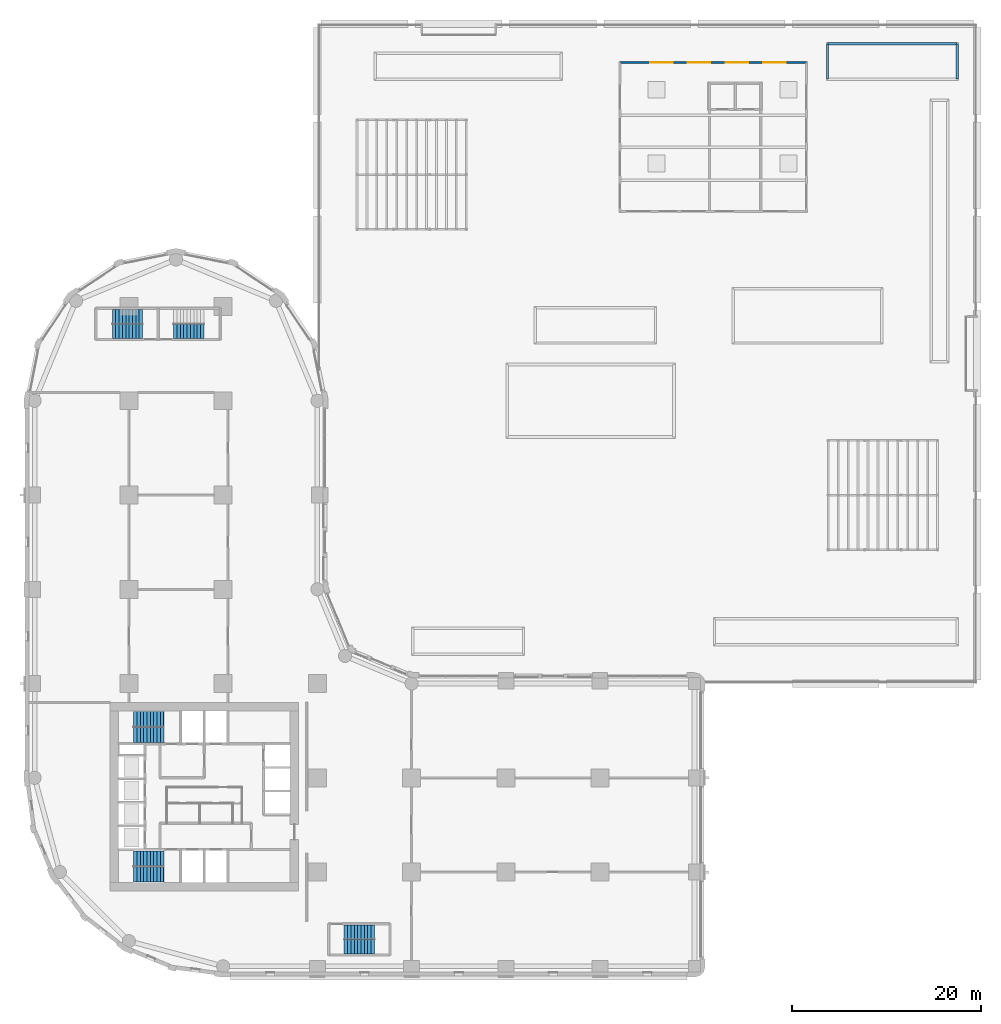
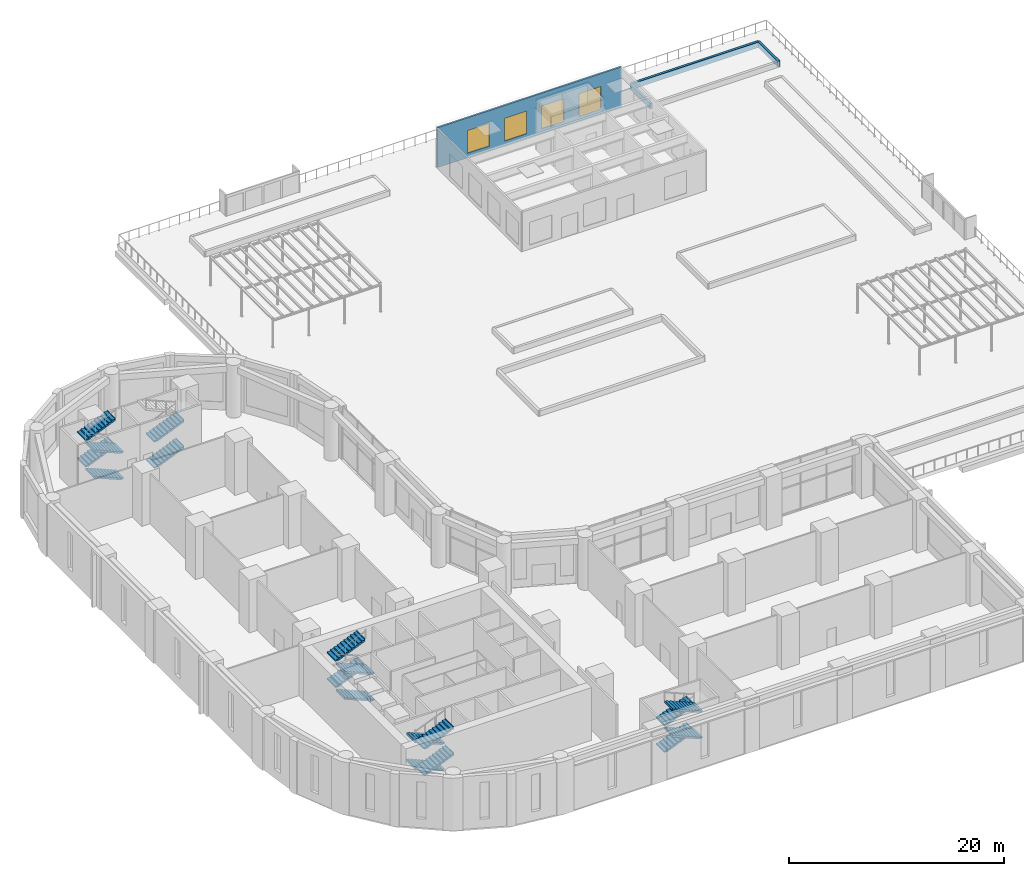
# One storey, part 20 of 28: 18 stair flights, 4 walls, 4 windows, 4 openings, 5 elements without a shape of their own.
"""IFC4 building model written with IfcOpenShell, lengths in metres."""

from ifc_helpers import new_model, si_unit, direction, frame, frame_2d, origin, place, context, subcontext, project, spatial, polyline, rectangle, outline, extrude, material, layer, layer_set, type_object, element, fill, aggregate, save


model = new_model("IFC4")

# Units and contexts
model_context = context("Model", 3, precision=1e-05, world=origin(), true_north=direction((0.0, 1.0)))
body_context = subcontext(model_context, "Body", "Model", "MODEL_VIEW")
ifc_project = project(units=[si_unit("LENGTHUNIT", "METRE"), si_unit("AREAUNIT", "SQUARE_METRE"), si_unit("VOLUMEUNIT", "CUBIC_METRE"), si_unit("PLANEANGLEUNIT", "RADIAN"), si_unit("MASSUNIT", "GRAM", prefix="KILO")], contexts=[model_context])

# Site, building, storey
site_placement = place(None, origin())
site = spatial("IfcSite", under=ifc_project, at=site_placement, CompositionType="ELEMENT")
building_placement = place(site_placement, origin())
building = spatial("IfcBuilding", under=site, at=building_placement, Name="Qaws Garden Tower", CompositionType="ELEMENT")
storey_placement = place(building_placement, frame((0.0, 0.0, 6.0)))
storey = spatial("IfcBuildingStorey", under=building, at=storey_placement, Name="L01", CompositionType="ELEMENT", Elevation=6.0)

# Walls
ifc_material_1 = material(Name="Concrete C40", Category="concrete")
ifc_layer_1 = layer(ifc_material_1, 0.25)
ifc_layer_set_1 = layer_set([ifc_layer_1], Name="Concrete C40")
wall_type_1 = type_object("IfcWallType", Name="PLANTER kerb 250", PredefinedType="STANDARD", material=ifc_layer_set_1)
wall_1_placement = place(storey_placement, frame((97.875, 94.125, -0.0400390625), z_axis=(0.0, 0.0, 1.0), x_axis=(0.0, 1.0, 0.0)))
element("IfcWall", 1, at=wall_1_placement, inside=storey, type_object=wall_type_1, Name="PLANTER 02 kerb", PredefinedType="STANDARD", context=body_context, shape_type="SweptSolid", body=[
    extrude(rectangle(XDim=3.75, YDim=0.25, at=frame_2d((1.875, 0.0))), origin(), (0.0, 0.0, 1.0), 0.650146484375),
])
wall_2_placement = place(storey_placement, frame((97.875, 97.875, -0.0400390625), z_axis=(0.0, 0.0, 1.0), x_axis=(-1.0, 0.0, 0.0)))
element("IfcWall", 2, at=wall_2_placement, inside=storey, type_object=wall_type_1, Name="PLANTER 02 kerb", PredefinedType="STANDARD", context=body_context, shape_type="SweptSolid", body=[
    extrude(rectangle(XDim=13.75, YDim=0.25, at=frame_2d((6.875, 0.0))), origin(), (0.0, 0.0, 1.0), 0.650146484375),
])
wall_3_placement = place(storey_placement, frame((84.125, 97.875, -0.0400390625), z_axis=(0.0, 0.0, 1.0), x_axis=(0.0, -1.0, 0.0)))
element("IfcWall", 3, at=wall_3_placement, inside=storey, type_object=wall_type_1, Name="PLANTER 02 kerb", PredefinedType="STANDARD", context=body_context, shape_type="SweptSolid", body=[
    extrude(rectangle(XDim=3.75, YDim=0.25, at=frame_2d((1.875, 0.0))), origin(), (0.0, 0.0, 1.0), 0.650146484375),
])

# Wall, openings, windows
ifc_material_2 = material(Name="Blockwork reinforced with steel S355", Category="masonry")
ifc_layer_2 = layer(ifc_material_2, 0.199951171875)
ifc_layer_set_2 = layer_set([ifc_layer_2], Name="Blockwork reinforced with steel S355")
wall_type_2 = type_object("IfcWallType", Name="Pavilion wall 200", PredefinedType="STANDARD", material=ifc_layer_set_2)
wall_4_placement = place(storey_placement, frame((81.89990234375, 95.89990234375, -0.0400390625), z_axis=(0.0, 0.0, 1.0), x_axis=(-1.0, 0.0, 0.0)))
wall_4 = element("IfcWall", 4, at=wall_4_placement, inside=storey, type_object=wall_type_2, Name="Garden pavilion wall N", PredefinedType="STANDARD", context=body_context, shape_type="SweptSolid", body=[
    extrude(rectangle(XDim=19.7998046875, YDim=0.199951171875, at=frame_2d((9.89990234375, 0.0))), origin(), (0.0, 0.0, 1.0), 4.5400390625),
])
opening_1_placement = place(wall_4_placement, frame((2.199951171875, 0.0, 0.5)))
opening_1 = element("IfcOpeningElement", 5, at=opening_1_placement, cuts=wall_4, Name="Opening PW-S3", PredefinedType="OPENING", context=body_context, shape_type="SweptSolid", body=[
    extrude(rectangle(XDim=2.39990234375, YDim=2.60009765625, at=frame_2d((1.199951171875, 1.300048828125))), frame((0.0, 0.10986328125, 0.0), z_axis=(0.0, -1.0, 0.0), x_axis=(1.0, 0.0, 0.0)), (0.0, 0.0, 1.0), 0.219970703125),
])
opening_2_placement = place(wall_4_placement, frame((6.199951171875, 0.0, 0.5)))
opening_2 = element("IfcOpeningElement", 6, at=opening_2_placement, cuts=wall_4, Name="Opening PW-S3", PredefinedType="OPENING", context=body_context, shape_type="SweptSolid", body=[
    extrude(rectangle(XDim=2.39990234375, YDim=2.60009765625, at=frame_2d((1.199951171875, 1.300048828125))), frame((0.0, 0.10986328125, 0.0), z_axis=(0.0, -1.0, 0.0), x_axis=(1.0, 0.0, 0.0)), (0.0, 0.0, 1.0), 0.219970703125),
])
opening_3_placement = place(wall_4_placement, frame((10.199951171875, 0.0, 0.5)))
opening_3 = element("IfcOpeningElement", 7, at=opening_3_placement, cuts=wall_4, Name="Opening PW-S3", PredefinedType="OPENING", context=body_context, shape_type="SweptSolid", body=[
    extrude(rectangle(XDim=2.39990234375, YDim=2.60009765625, at=frame_2d((1.199951171875, 1.300048828125))), frame((0.0, 0.10986328125, 0.0), z_axis=(0.0, -1.0, 0.0), x_axis=(1.0, 0.0, 0.0)), (0.0, 0.0, 1.0), 0.219970703125),
])
opening_4_placement = place(wall_4_placement, frame((14.199951171875, 0.0, 0.5)))
opening_4 = element("IfcOpeningElement", 8, at=opening_4_placement, cuts=wall_4, Name="Opening PW-S3", PredefinedType="OPENING", context=body_context, shape_type="SweptSolid", body=[
    extrude(rectangle(XDim=2.39990234375, YDim=2.60009765625, at=frame_2d((1.199951171875, 1.300048828125))), frame((0.0, 0.10986328125, 0.0), z_axis=(0.0, -1.0, 0.0), x_axis=(1.0, 0.0, 0.0)), (0.0, 0.0, 1.0), 0.219970703125),
])
ifc_material_3 = material(Name="Aluminium and clear glass", Category="aluminium")
window_type = type_object("IfcWindowType", Name="Pavilion window 2400", PartitioningType="DOUBLE_PANEL_VERTICAL", PredefinedType="WINDOW", material=ifc_material_3)
window_1_placement = place(opening_1_placement, origin())
window_1 = element("IfcWindow", 9, at=window_1_placement, inside=storey, type_object=window_type, Name="Pavilion window", OverallHeight=2.60009765625, OverallWidth=2.39990234375, PartitioningType="SINGLE_PANEL", PredefinedType="WINDOW", context=body_context, shape_type="SweptSolid", body=[
    extrude(rectangle(XDim=2.39990234375, YDim=2.60009765625, at=frame_2d((1.199951171875, 1.300048828125))), frame((0.0, 0.030029296875, 0.0), z_axis=(0.0, -1.0, 0.0), x_axis=(1.0, 0.0, 0.0)), (0.0, 0.0, 1.0), 0.06005859375),
])
fill(opening_1, window_1)
window_2_placement = place(opening_2_placement, origin())
window_2 = element("IfcWindow", 10, at=window_2_placement, inside=storey, type_object=window_type, Name="Pavilion window", OverallHeight=2.60009765625, OverallWidth=2.39990234375, PartitioningType="SINGLE_PANEL", PredefinedType="WINDOW", context=body_context, shape_type="SweptSolid", body=[
    extrude(rectangle(XDim=2.39990234375, YDim=2.60009765625, at=frame_2d((1.199951171875, 1.300048828125))), frame((0.0, 0.030029296875, 0.0), z_axis=(0.0, -1.0, 0.0), x_axis=(1.0, 0.0, 0.0)), (0.0, 0.0, 1.0), 0.06005859375),
])
fill(opening_2, window_2)
window_3_placement = place(opening_3_placement, origin())
window_3 = element("IfcWindow", 11, at=window_3_placement, inside=storey, type_object=window_type, Name="Pavilion window", OverallHeight=2.60009765625, OverallWidth=2.39990234375, PartitioningType="SINGLE_PANEL", PredefinedType="WINDOW", context=body_context, shape_type="SweptSolid", body=[
    extrude(rectangle(XDim=2.39990234375, YDim=2.60009765625, at=frame_2d((1.199951171875, 1.300048828125))), frame((0.0, 0.030029296875, 0.0), z_axis=(0.0, -1.0, 0.0), x_axis=(1.0, 0.0, 0.0)), (0.0, 0.0, 1.0), 0.06005859375),
])
fill(opening_3, window_3)
window_4_placement = place(opening_4_placement, origin())
window_4 = element("IfcWindow", 12, at=window_4_placement, inside=storey, type_object=window_type, Name="Pavilion window", OverallHeight=2.60009765625, OverallWidth=2.39990234375, PartitioningType="SINGLE_PANEL", PredefinedType="WINDOW", context=body_context, shape_type="SweptSolid", body=[
    extrude(rectangle(XDim=2.39990234375, YDim=2.60009765625, at=frame_2d((1.199951171875, 1.300048828125))), frame((0.0, 0.030029296875, 0.0), z_axis=(0.0, -1.0, 0.0), x_axis=(1.0, 0.0, 0.0)), (0.0, 0.0, 1.0), 0.06005859375),
])
fill(opening_4, window_4)

# Stair, stair flights
ifc_material_4 = material(Name="Concrete C40", Category="concrete")
stair_type_1 = type_object("IfcStairType", Name="Exit stair 1350", PredefinedType="HALF_TURN_STAIR", material=ifc_material_4)
placement = place(storey_placement, origin())
stair_1 = element("IfcStair", 13, at=placement, inside=storey, type_object=stair_type_1, Name="Stair 5", PredefinedType="HALF_TURN_STAIR")
ifc_material_5 = material(Name="Concrete C40", Category="concrete")
stair_flight_type_1 = type_object("IfcStairFlightType", Name="Stair flight 1350", PredefinedType="STRAIGHT", material=ifc_material_5)
stair_flight_1_placement = place(storey_placement, frame((32.85009765625, 3.625, 0.0), z_axis=(0.0, 0.0, 1.0), x_axis=(1.0, 0.0, 0.0)))
stair_flight_1 = element("IfcStairFlight", 14, at=stair_flight_1_placement, type_object=stair_flight_type_1, Name="ST5 flight 1", NumberOfRisers=10, NumberOfTreads=9, PredefinedType="STRAIGHT", RiserHeight=0.15, TreadLength=0.356, context=body_context, shape_type="SweptSolid", body=[
    extrude(outline(polyline([(-0.0029296875, 0.0), (-0.0029296875, 0.14990234375), (0.0, 0.14990234375), (0.35595703125, 0.14990234375), (0.35595703125, 0.300048828125), (0.7119140625, 0.300048828125), (0.7119140625, 0.449951171875), (1.068115234375, 0.449951171875), (1.068115234375, 0.60009765625), (1.424072265625, 0.60009765625), (1.424072265625, 0.75), (1.780029296875, 0.75), (1.780029296875, 0.89990234375), (2.135986328125, 0.89990234375), (2.135986328125, 1.050048828125), (2.491943359375, 1.050048828125), (2.491943359375, 1.199951171875), (2.847900390625, 1.199951171875), (2.847900390625, 1.35009765625), (3.2041015625, 1.35009765625), (3.2041015625, 1.5), (3.20703125, 1.5), (3.20703125, 1.187255859375), (3.2041015625, 1.187255859375), (0.385986328125, 0.0), (-0.0029296875, 0.0)])), frame((0.0, 0.77001953125, 0.0), z_axis=(0.0, -1.0, 0.0), x_axis=(1.0, 0.0, 0.0)), (0.0, 0.0, 1.0), 1.5400390625),
])
stair_flight_2_placement = place(storey_placement, frame((36.053955078125, 2.074951171875, 1.5), z_axis=(0.0, 0.0, 1.0), x_axis=(-1.0, 0.0, 0.0)))
stair_flight_2 = element("IfcStairFlight", 15, at=stair_flight_2_placement, type_object=stair_flight_type_1, Name="ST5 flight 2", NumberOfRisers=10, NumberOfTreads=9, PredefinedType="STRAIGHT", RiserHeight=0.15, TreadLength=0.356, context=body_context, shape_type="SweptSolid", body=[
    extrude(outline(polyline([(-0.0029296875, 0.0), (-0.0029296875, 0.14990234375), (0.0, 0.14990234375), (0.35595703125, 0.14990234375), (0.35595703125, 0.300048828125), (0.7119140625, 0.300048828125), (0.7119140625, 0.449951171875), (1.068115234375, 0.449951171875), (1.068115234375, 0.60009765625), (1.424072265625, 0.60009765625), (1.424072265625, 0.75), (1.780029296875, 0.75), (1.780029296875, 0.89990234375), (2.135986328125, 0.89990234375), (2.135986328125, 1.050048828125), (2.491943359375, 1.050048828125), (2.491943359375, 1.199951171875), (2.847900390625, 1.199951171875), (2.847900390625, 1.35009765625), (3.2041015625, 1.35009765625), (3.2041015625, 1.5), (3.20703125, 1.5), (3.20703125, 1.187255859375), (3.2041015625, 1.187255859375), (0.385986328125, 0.0), (-0.0029296875, 0.0)])), frame((0.0, 0.77001953125, 0.0), z_axis=(0.0, -1.0, 0.0), x_axis=(1.0, 0.0, 0.0)), (0.0, 0.0, 1.0), 1.5400390625),
])
stair_flight_3_placement = place(storey_placement, frame((32.85009765625, 3.625, 3.0), z_axis=(0.0, 0.0, 1.0), x_axis=(1.0, 0.0, 0.0)))
stair_flight_3 = element("IfcStairFlight", 16, at=stair_flight_3_placement, type_object=stair_flight_type_1, Name="ST5 flight 3", NumberOfRisers=10, NumberOfTreads=9, PredefinedType="STRAIGHT", RiserHeight=0.15, TreadLength=0.356, context=body_context, shape_type="SweptSolid", body=[
    extrude(outline(polyline([(-0.0029296875, 0.0), (-0.0029296875, 0.14990234375), (0.0, 0.14990234375), (0.35595703125, 0.14990234375), (0.35595703125, 0.300048828125), (0.7119140625, 0.300048828125), (0.7119140625, 0.449951171875), (1.068115234375, 0.449951171875), (1.068115234375, 0.60009765625), (1.424072265625, 0.60009765625), (1.424072265625, 0.75), (1.780029296875, 0.75), (1.780029296875, 0.89990234375), (2.135986328125, 0.89990234375), (2.135986328125, 1.050048828125), (2.491943359375, 1.050048828125), (2.491943359375, 1.199951171875), (2.847900390625, 1.199951171875), (2.847900390625, 1.35009765625), (3.2041015625, 1.35009765625), (3.2041015625, 1.5), (3.20703125, 1.5), (3.20703125, 1.187255859375), (3.2041015625, 1.187255859375), (0.385986328125, 0.0), (-0.0029296875, 0.0)])), frame((0.0, 0.77001953125, 0.0), z_axis=(0.0, -1.0, 0.0), x_axis=(1.0, 0.0, 0.0)), (0.0, 0.0, 1.0), 1.5400390625),
])
stair_flight_4_placement = place(storey_placement, frame((36.053955078125, 2.074951171875, 4.5), z_axis=(0.0, 0.0, 1.0), x_axis=(-1.0, 0.0, 0.0)))
stair_flight_4 = element("IfcStairFlight", 17, at=stair_flight_4_placement, type_object=stair_flight_type_1, Name="ST5 flight 4", NumberOfRisers=10, NumberOfTreads=9, PredefinedType="STRAIGHT", RiserHeight=0.15, TreadLength=0.356, context=body_context, shape_type="SweptSolid", body=[
    extrude(outline(polyline([(-0.0029296875, 0.0), (-0.0029296875, 0.14990234375), (0.0, 0.14990234375), (0.35595703125, 0.14990234375), (0.35595703125, 0.300048828125), (0.7119140625, 0.300048828125), (0.7119140625, 0.449951171875), (1.068115234375, 0.449951171875), (1.068115234375, 0.60009765625), (1.424072265625, 0.60009765625), (1.424072265625, 0.75), (1.780029296875, 0.75), (1.780029296875, 0.89990234375), (2.135986328125, 0.89990234375), (2.135986328125, 1.050048828125), (2.491943359375, 1.050048828125), (2.491943359375, 1.199951171875), (2.847900390625, 1.199951171875), (2.847900390625, 1.35009765625), (3.2041015625, 1.35009765625), (3.2041015625, 1.5), (3.20703125, 1.5), (3.20703125, 1.187255859375), (3.2041015625, 1.187255859375), (0.385986328125, 0.0), (-0.0029296875, 0.0)])), frame((0.0, 0.77001953125, 0.0), z_axis=(0.0, -1.0, 0.0), x_axis=(1.0, 0.0, 0.0)), (0.0, 0.0, 1.0), 1.5400390625),
])
aggregate(stair_1, [stair_flight_1, stair_flight_2, stair_flight_3, stair_flight_4])

stair_2 = element("IfcStair", 18, at=placement, inside=storey, type_object=stair_type_1, Name="Stair 6", PredefinedType="HALF_TURN_STAIR")
stair_flight_5_placement = place(storey_placement, frame((11.449951171875, 67.375, 0.0), z_axis=(0.0, 0.0, 1.0), x_axis=(-1.0, 0.0, 0.0)))
stair_flight_5 = element("IfcStairFlight", 19, at=stair_flight_5_placement, type_object=stair_flight_type_1, Name="ST6 flight 1", NumberOfRisers=10, NumberOfTreads=9, PredefinedType="STRAIGHT", RiserHeight=0.15, TreadLength=0.356, context=body_context, shape_type="SweptSolid", body=[
    extrude(outline(polyline([(-0.0029296875, 0.0), (-0.0029296875, 0.14990234375), (0.0, 0.14990234375), (0.35595703125, 0.14990234375), (0.35595703125, 0.300048828125), (0.7119140625, 0.300048828125), (0.7119140625, 0.449951171875), (1.068115234375, 0.449951171875), (1.068115234375, 0.60009765625), (1.424072265625, 0.60009765625), (1.424072265625, 0.75), (1.780029296875, 0.75), (1.780029296875, 0.89990234375), (2.135986328125, 0.89990234375), (2.135986328125, 1.050048828125), (2.491943359375, 1.050048828125), (2.491943359375, 1.199951171875), (2.847900390625, 1.199951171875), (2.847900390625, 1.35009765625), (3.2041015625, 1.35009765625), (3.2041015625, 1.5), (3.20703125, 1.5), (3.20703125, 1.187255859375), (3.2041015625, 1.187255859375), (0.385986328125, 0.0), (-0.0029296875, 0.0)])), frame((0.0, 0.77490234375, 0.0), z_axis=(0.0, -1.0, 0.0), x_axis=(1.0, 0.0, 0.0)), (0.0, 0.0, 1.0), 1.550048828125),
])
stair_flight_6_placement = place(storey_placement, frame((8.24609375, 68.925048828125, 1.5), z_axis=(0.0, 0.0, 1.0), x_axis=(1.0, 0.0, 0.0)))
stair_flight_6 = element("IfcStairFlight", 20, at=stair_flight_6_placement, type_object=stair_flight_type_1, Name="ST6 flight 2", NumberOfRisers=10, NumberOfTreads=9, PredefinedType="STRAIGHT", RiserHeight=0.15, TreadLength=0.356, context=body_context, shape_type="SweptSolid", body=[
    extrude(outline(polyline([(-0.0029296875, 0.0), (-0.0029296875, 0.14990234375), (0.0, 0.14990234375), (0.35595703125, 0.14990234375), (0.35595703125, 0.300048828125), (0.7119140625, 0.300048828125), (0.7119140625, 0.449951171875), (1.068115234375, 0.449951171875), (1.068115234375, 0.60009765625), (1.424072265625, 0.60009765625), (1.424072265625, 0.75), (1.780029296875, 0.75), (1.780029296875, 0.89990234375), (2.135986328125, 0.89990234375), (2.135986328125, 1.050048828125), (2.491943359375, 1.050048828125), (2.491943359375, 1.199951171875), (2.847900390625, 1.199951171875), (2.847900390625, 1.35009765625), (3.2041015625, 1.35009765625), (3.2041015625, 1.5), (3.20703125, 1.5), (3.20703125, 1.187255859375), (3.2041015625, 1.187255859375), (0.385986328125, 0.0), (-0.0029296875, 0.0)])), frame((0.0, 0.77490234375, 0.0), z_axis=(0.0, -1.0, 0.0), x_axis=(1.0, 0.0, 0.0)), (0.0, 0.0, 1.0), 1.550048828125),
])
stair_flight_7_placement = place(storey_placement, frame((11.449951171875, 67.375, 3.0), z_axis=(0.0, 0.0, 1.0), x_axis=(-1.0, 0.0, 0.0)))
stair_flight_7 = element("IfcStairFlight", 21, at=stair_flight_7_placement, type_object=stair_flight_type_1, Name="ST6 flight 3", NumberOfRisers=10, NumberOfTreads=9, PredefinedType="STRAIGHT", RiserHeight=0.15, TreadLength=0.356, context=body_context, shape_type="SweptSolid", body=[
    extrude(outline(polyline([(-0.0029296875, 0.0), (-0.0029296875, 0.14990234375), (0.0, 0.14990234375), (0.35595703125, 0.14990234375), (0.35595703125, 0.300048828125), (0.7119140625, 0.300048828125), (0.7119140625, 0.449951171875), (1.068115234375, 0.449951171875), (1.068115234375, 0.60009765625), (1.424072265625, 0.60009765625), (1.424072265625, 0.75), (1.780029296875, 0.75), (1.780029296875, 0.89990234375), (2.135986328125, 0.89990234375), (2.135986328125, 1.050048828125), (2.491943359375, 1.050048828125), (2.491943359375, 1.199951171875), (2.847900390625, 1.199951171875), (2.847900390625, 1.35009765625), (3.2041015625, 1.35009765625), (3.2041015625, 1.5), (3.20703125, 1.5), (3.20703125, 1.187255859375), (3.2041015625, 1.187255859375), (0.385986328125, 0.0), (-0.0029296875, 0.0)])), frame((0.0, 0.77490234375, 0.0), z_axis=(0.0, -1.0, 0.0), x_axis=(1.0, 0.0, 0.0)), (0.0, 0.0, 1.0), 1.550048828125),
])
stair_flight_8_placement = place(storey_placement, frame((8.24609375, 68.925048828125, 4.5), z_axis=(0.0, 0.0, 1.0), x_axis=(1.0, 0.0, 0.0)))
stair_flight_8 = element("IfcStairFlight", 22, at=stair_flight_8_placement, type_object=stair_flight_type_1, Name="ST6 flight 4", NumberOfRisers=10, NumberOfTreads=9, PredefinedType="STRAIGHT", RiserHeight=0.15, TreadLength=0.356, context=body_context, shape_type="SweptSolid", body=[
    extrude(outline(polyline([(-0.0029296875, 0.0), (-0.0029296875, 0.14990234375), (0.0, 0.14990234375), (0.35595703125, 0.14990234375), (0.35595703125, 0.300048828125), (0.7119140625, 0.300048828125), (0.7119140625, 0.449951171875), (1.068115234375, 0.449951171875), (1.068115234375, 0.60009765625), (1.424072265625, 0.60009765625), (1.424072265625, 0.75), (1.780029296875, 0.75), (1.780029296875, 0.89990234375), (2.135986328125, 0.89990234375), (2.135986328125, 1.050048828125), (2.491943359375, 1.050048828125), (2.491943359375, 1.199951171875), (2.847900390625, 1.199951171875), (2.847900390625, 1.35009765625), (3.2041015625, 1.35009765625), (3.2041015625, 1.5), (3.20703125, 1.5), (3.20703125, 1.187255859375), (3.2041015625, 1.187255859375), (0.385986328125, 0.0), (-0.0029296875, 0.0)])), frame((0.0, 0.77490234375, 0.0), z_axis=(0.0, -1.0, 0.0), x_axis=(1.0, 0.0, 0.0)), (0.0, 0.0, 1.0), 1.550048828125),
])
aggregate(stair_2, [stair_flight_5, stair_flight_6, stair_flight_7, stair_flight_8])

stair_3 = element("IfcStair", 23, at=placement, inside=storey, type_object=stair_type_1, Name="Stair 7", PredefinedType="HALF_TURN_STAIR")
stair_flight_9_placement = place(storey_placement, frame((14.75, 67.375, 0.0), z_axis=(0.0, 0.0, 1.0), x_axis=(1.0, 0.0, 0.0)))
stair_flight_9 = element("IfcStairFlight", 24, at=stair_flight_9_placement, type_object=stair_flight_type_1, Name="ST7 flight 1", NumberOfRisers=10, NumberOfTreads=9, PredefinedType="STRAIGHT", RiserHeight=0.15, TreadLength=0.356, context=body_context, shape_type="SweptSolid", body=[
    extrude(outline(polyline([(-0.0029296875, 0.0), (-0.0029296875, 0.14990234375), (0.0, 0.14990234375), (0.35595703125, 0.14990234375), (0.35595703125, 0.300048828125), (0.7119140625, 0.300048828125), (0.7119140625, 0.449951171875), (1.068115234375, 0.449951171875), (1.068115234375, 0.60009765625), (1.424072265625, 0.60009765625), (1.424072265625, 0.75), (1.780029296875, 0.75), (1.780029296875, 0.89990234375), (2.135986328125, 0.89990234375), (2.135986328125, 1.050048828125), (2.491943359375, 1.050048828125), (2.491943359375, 1.199951171875), (2.847900390625, 1.199951171875), (2.847900390625, 1.35009765625), (3.2041015625, 1.35009765625), (3.2041015625, 1.5), (3.20703125, 1.5), (3.20703125, 1.187255859375), (3.2041015625, 1.187255859375), (0.385986328125, 0.0), (-0.0029296875, 0.0)])), frame((0.0, 0.77490234375, 0.0), z_axis=(0.0, -1.0, 0.0), x_axis=(1.0, 0.0, 0.0)), (0.0, 0.0, 1.0), 1.550048828125),
])
stair_flight_10_placement = place(storey_placement, frame((14.75, 67.375, 3.0), z_axis=(0.0, 0.0, 1.0), x_axis=(1.0, 0.0, 0.0)))
stair_flight_10 = element("IfcStairFlight", 25, at=stair_flight_10_placement, type_object=stair_flight_type_1, Name="ST7 flight 3", NumberOfRisers=10, NumberOfTreads=9, PredefinedType="STRAIGHT", RiserHeight=0.15, TreadLength=0.356, context=body_context, shape_type="SweptSolid", body=[
    extrude(outline(polyline([(-0.0029296875, 0.0), (-0.0029296875, 0.14990234375), (0.0, 0.14990234375), (0.35595703125, 0.14990234375), (0.35595703125, 0.300048828125), (0.7119140625, 0.300048828125), (0.7119140625, 0.449951171875), (1.068115234375, 0.449951171875), (1.068115234375, 0.60009765625), (1.424072265625, 0.60009765625), (1.424072265625, 0.75), (1.780029296875, 0.75), (1.780029296875, 0.89990234375), (2.135986328125, 0.89990234375), (2.135986328125, 1.050048828125), (2.491943359375, 1.050048828125), (2.491943359375, 1.199951171875), (2.847900390625, 1.199951171875), (2.847900390625, 1.35009765625), (3.2041015625, 1.35009765625), (3.2041015625, 1.5), (3.20703125, 1.5), (3.20703125, 1.187255859375), (3.2041015625, 1.187255859375), (0.385986328125, 0.0), (-0.0029296875, 0.0)])), frame((0.0, 0.77490234375, 0.0), z_axis=(0.0, -1.0, 0.0), x_axis=(1.0, 0.0, 0.0)), (0.0, 0.0, 1.0), 1.550048828125),
])
aggregate(stair_3, [stair_flight_9, stair_flight_10])

ifc_material_6 = material(Name="Concrete C40", Category="concrete")
stair_type_2 = type_object("IfcStairType", Name="Exit stair 1500", PredefinedType="HALF_TURN_STAIR", material=ifc_material_6)
stair_4 = element("IfcStair", 26, at=placement, inside=storey, type_object=stair_type_2, Name="Stair 1", PredefinedType="HALF_TURN_STAIR")
ifc_material_7 = material(Name="Concrete C40", Category="concrete")
stair_flight_type_2 = type_object("IfcStairFlightType", Name="Stair flight 1500", PredefinedType="STRAIGHT", material=ifc_material_7)
stair_flight_11_placement = place(storey_placement, frame((13.699951171875, 11.449951171875, 0.0), z_axis=(0.0, 0.0, 1.0), x_axis=(-1.0, 0.0, 0.0)))
stair_flight_11 = element("IfcStairFlight", 27, at=stair_flight_11_placement, type_object=stair_flight_type_2, Name="ST1 flight 1", NumberOfRisers=10, NumberOfTreads=9, PredefinedType="STRAIGHT", RiserHeight=0.15, TreadLength=0.356, context=body_context, shape_type="SweptSolid", body=[
    extrude(outline(polyline([(-0.0029296875, 0.0), (-0.0029296875, 0.14990234375), (0.0, 0.14990234375), (0.35595703125, 0.14990234375), (0.35595703125, 0.300048828125), (0.7119140625, 0.300048828125), (0.7119140625, 0.449951171875), (1.068115234375, 0.449951171875), (1.068115234375, 0.60009765625), (1.424072265625, 0.60009765625), (1.424072265625, 0.75), (1.780029296875, 0.75), (1.780029296875, 0.89990234375), (2.135986328125, 0.89990234375), (2.135986328125, 1.050048828125), (2.491943359375, 1.050048828125), (2.491943359375, 1.199951171875), (2.847900390625, 1.199951171875), (2.847900390625, 1.35009765625), (3.2041015625, 1.35009765625), (3.2041015625, 1.5), (3.20703125, 1.5), (3.20703125, 1.187255859375), (3.2041015625, 1.187255859375), (0.385986328125, 0.0), (-0.0029296875, 0.0)])), frame((0.0, 0.794921875, 0.0), z_axis=(0.0, -1.0, 0.0), x_axis=(1.0, 0.0, 0.0)), (0.0, 0.0, 1.0), 1.590087890625),
])
stair_flight_12_placement = place(storey_placement, frame((10.49609375, 9.75, 1.5), z_axis=(0.0, 0.0, 1.0), x_axis=(1.0, 0.0, 0.0)))
stair_flight_12 = element("IfcStairFlight", 28, at=stair_flight_12_placement, type_object=stair_flight_type_2, Name="ST1 flight 2", NumberOfRisers=10, NumberOfTreads=9, PredefinedType="STRAIGHT", RiserHeight=0.15, TreadLength=0.356, context=body_context, shape_type="SweptSolid", body=[
    extrude(outline(polyline([(-0.0029296875, 0.0), (-0.0029296875, 0.14990234375), (0.0, 0.14990234375), (0.35595703125, 0.14990234375), (0.35595703125, 0.300048828125), (0.7119140625, 0.300048828125), (0.7119140625, 0.449951171875), (1.068115234375, 0.449951171875), (1.068115234375, 0.60009765625), (1.424072265625, 0.60009765625), (1.424072265625, 0.75), (1.780029296875, 0.75), (1.780029296875, 0.89990234375), (2.135986328125, 0.89990234375), (2.135986328125, 1.050048828125), (2.491943359375, 1.050048828125), (2.491943359375, 1.199951171875), (2.847900390625, 1.199951171875), (2.847900390625, 1.35009765625), (3.2041015625, 1.35009765625), (3.2041015625, 1.5), (3.20703125, 1.5), (3.20703125, 1.187255859375), (3.2041015625, 1.187255859375), (0.385986328125, 0.0), (-0.0029296875, 0.0)])), frame((0.0, 0.794921875, 0.0), z_axis=(0.0, -1.0, 0.0), x_axis=(1.0, 0.0, 0.0)), (0.0, 0.0, 1.0), 1.590087890625),
])
stair_flight_13_placement = place(storey_placement, frame((13.699951171875, 11.449951171875, 3.0), z_axis=(0.0, 0.0, 1.0), x_axis=(-1.0, 0.0, 0.0)))
stair_flight_13 = element("IfcStairFlight", 29, at=stair_flight_13_placement, type_object=stair_flight_type_2, Name="ST1 flight 3", NumberOfRisers=10, NumberOfTreads=9, PredefinedType="STRAIGHT", RiserHeight=0.15, TreadLength=0.356, context=body_context, shape_type="SweptSolid", body=[
    extrude(outline(polyline([(-0.0029296875, 0.0), (-0.0029296875, 0.14990234375), (0.0, 0.14990234375), (0.35595703125, 0.14990234375), (0.35595703125, 0.300048828125), (0.7119140625, 0.300048828125), (0.7119140625, 0.449951171875), (1.068115234375, 0.449951171875), (1.068115234375, 0.60009765625), (1.424072265625, 0.60009765625), (1.424072265625, 0.75), (1.780029296875, 0.75), (1.780029296875, 0.89990234375), (2.135986328125, 0.89990234375), (2.135986328125, 1.050048828125), (2.491943359375, 1.050048828125), (2.491943359375, 1.199951171875), (2.847900390625, 1.199951171875), (2.847900390625, 1.35009765625), (3.2041015625, 1.35009765625), (3.2041015625, 1.5), (3.20703125, 1.5), (3.20703125, 1.187255859375), (3.2041015625, 1.187255859375), (0.385986328125, 0.0), (-0.0029296875, 0.0)])), frame((0.0, 0.794921875, 0.0), z_axis=(0.0, -1.0, 0.0), x_axis=(1.0, 0.0, 0.0)), (0.0, 0.0, 1.0), 1.590087890625),
])
stair_flight_14_placement = place(storey_placement, frame((10.49609375, 9.75, 4.5), z_axis=(0.0, 0.0, 1.0), x_axis=(1.0, 0.0, 0.0)))
stair_flight_14 = element("IfcStairFlight", 30, at=stair_flight_14_placement, type_object=stair_flight_type_2, Name="ST1 flight 4", NumberOfRisers=10, NumberOfTreads=9, PredefinedType="STRAIGHT", RiserHeight=0.15, TreadLength=0.356, context=body_context, shape_type="SweptSolid", body=[
    extrude(outline(polyline([(-0.0029296875, 0.0), (-0.0029296875, 0.14990234375), (0.0, 0.14990234375), (0.35595703125, 0.14990234375), (0.35595703125, 0.300048828125), (0.7119140625, 0.300048828125), (0.7119140625, 0.449951171875), (1.068115234375, 0.449951171875), (1.068115234375, 0.60009765625), (1.424072265625, 0.60009765625), (1.424072265625, 0.75), (1.780029296875, 0.75), (1.780029296875, 0.89990234375), (2.135986328125, 0.89990234375), (2.135986328125, 1.050048828125), (2.491943359375, 1.050048828125), (2.491943359375, 1.199951171875), (2.847900390625, 1.199951171875), (2.847900390625, 1.35009765625), (3.2041015625, 1.35009765625), (3.2041015625, 1.5), (3.20703125, 1.5), (3.20703125, 1.187255859375), (3.2041015625, 1.187255859375), (0.385986328125, 0.0), (-0.0029296875, 0.0)])), frame((0.0, 0.794921875, 0.0), z_axis=(0.0, -1.0, 0.0), x_axis=(1.0, 0.0, 0.0)), (0.0, 0.0, 1.0), 1.590087890625),
])
aggregate(stair_4, [stair_flight_11, stair_flight_12, stair_flight_13, stair_flight_14])

stair_5 = element("IfcStair", 31, at=placement, inside=storey, type_object=stair_type_2, Name="Stair 4", PredefinedType="HALF_TURN_STAIR")
stair_flight_15_placement = place(storey_placement, frame((13.699951171875, 24.550048828125, 0.0), z_axis=(0.0, 0.0, 1.0), x_axis=(-1.0, 0.0, 0.0)))
stair_flight_15 = element("IfcStairFlight", 32, at=stair_flight_15_placement, type_object=stair_flight_type_2, Name="ST4 flight 1", NumberOfRisers=10, NumberOfTreads=9, PredefinedType="STRAIGHT", RiserHeight=0.15, TreadLength=0.356, context=body_context, shape_type="SweptSolid", body=[
    extrude(outline(polyline([(-0.0029296875, 0.0), (-0.0029296875, 0.14990234375), (0.0, 0.14990234375), (0.35595703125, 0.14990234375), (0.35595703125, 0.300048828125), (0.7119140625, 0.300048828125), (0.7119140625, 0.449951171875), (1.068115234375, 0.449951171875), (1.068115234375, 0.60009765625), (1.424072265625, 0.60009765625), (1.424072265625, 0.75), (1.780029296875, 0.75), (1.780029296875, 0.89990234375), (2.135986328125, 0.89990234375), (2.135986328125, 1.050048828125), (2.491943359375, 1.050048828125), (2.491943359375, 1.199951171875), (2.847900390625, 1.199951171875), (2.847900390625, 1.35009765625), (3.2041015625, 1.35009765625), (3.2041015625, 1.5), (3.20703125, 1.5), (3.20703125, 1.187255859375), (3.2041015625, 1.187255859375), (0.385986328125, 0.0), (-0.0029296875, 0.0)])), frame((0.0, 0.794921875, 0.0), z_axis=(0.0, -1.0, 0.0), x_axis=(1.0, 0.0, 0.0)), (0.0, 0.0, 1.0), 1.590087890625),
])
stair_flight_16_placement = place(storey_placement, frame((10.49609375, 26.25, 1.5), z_axis=(0.0, 0.0, 1.0), x_axis=(1.0, 0.0, 0.0)))
stair_flight_16 = element("IfcStairFlight", 33, at=stair_flight_16_placement, type_object=stair_flight_type_2, Name="ST4 flight 2", NumberOfRisers=10, NumberOfTreads=9, PredefinedType="STRAIGHT", RiserHeight=0.15, TreadLength=0.356, context=body_context, shape_type="SweptSolid", body=[
    extrude(outline(polyline([(-0.0029296875, 0.0), (-0.0029296875, 0.14990234375), (0.0, 0.14990234375), (0.35595703125, 0.14990234375), (0.35595703125, 0.300048828125), (0.7119140625, 0.300048828125), (0.7119140625, 0.449951171875), (1.068115234375, 0.449951171875), (1.068115234375, 0.60009765625), (1.424072265625, 0.60009765625), (1.424072265625, 0.75), (1.780029296875, 0.75), (1.780029296875, 0.89990234375), (2.135986328125, 0.89990234375), (2.135986328125, 1.050048828125), (2.491943359375, 1.050048828125), (2.491943359375, 1.199951171875), (2.847900390625, 1.199951171875), (2.847900390625, 1.35009765625), (3.2041015625, 1.35009765625), (3.2041015625, 1.5), (3.20703125, 1.5), (3.20703125, 1.187255859375), (3.2041015625, 1.187255859375), (0.385986328125, 0.0), (-0.0029296875, 0.0)])), frame((0.0, 0.794921875, 0.0), z_axis=(0.0, -1.0, 0.0), x_axis=(1.0, 0.0, 0.0)), (0.0, 0.0, 1.0), 1.590087890625),
])
stair_flight_17_placement = place(storey_placement, frame((13.699951171875, 24.550048828125, 3.0), z_axis=(0.0, 0.0, 1.0), x_axis=(-1.0, 0.0, 0.0)))
stair_flight_17 = element("IfcStairFlight", 34, at=stair_flight_17_placement, type_object=stair_flight_type_2, Name="ST4 flight 3", NumberOfRisers=10, NumberOfTreads=9, PredefinedType="STRAIGHT", RiserHeight=0.15, TreadLength=0.356, context=body_context, shape_type="SweptSolid", body=[
    extrude(outline(polyline([(-0.0029296875, 0.0), (-0.0029296875, 0.14990234375), (0.0, 0.14990234375), (0.35595703125, 0.14990234375), (0.35595703125, 0.300048828125), (0.7119140625, 0.300048828125), (0.7119140625, 0.449951171875), (1.068115234375, 0.449951171875), (1.068115234375, 0.60009765625), (1.424072265625, 0.60009765625), (1.424072265625, 0.75), (1.780029296875, 0.75), (1.780029296875, 0.89990234375), (2.135986328125, 0.89990234375), (2.135986328125, 1.050048828125), (2.491943359375, 1.050048828125), (2.491943359375, 1.199951171875), (2.847900390625, 1.199951171875), (2.847900390625, 1.35009765625), (3.2041015625, 1.35009765625), (3.2041015625, 1.5), (3.20703125, 1.5), (3.20703125, 1.187255859375), (3.2041015625, 1.187255859375), (0.385986328125, 0.0), (-0.0029296875, 0.0)])), frame((0.0, 0.794921875, 0.0), z_axis=(0.0, -1.0, 0.0), x_axis=(1.0, 0.0, 0.0)), (0.0, 0.0, 1.0), 1.590087890625),
])
stair_flight_18_placement = place(storey_placement, frame((10.49609375, 26.25, 4.5), z_axis=(0.0, 0.0, 1.0), x_axis=(1.0, 0.0, 0.0)))
stair_flight_18 = element("IfcStairFlight", 35, at=stair_flight_18_placement, type_object=stair_flight_type_2, Name="ST4 flight 4", NumberOfRisers=10, NumberOfTreads=9, PredefinedType="STRAIGHT", RiserHeight=0.15, TreadLength=0.356, context=body_context, shape_type="SweptSolid", body=[
    extrude(outline(polyline([(-0.0029296875, 0.0), (-0.0029296875, 0.14990234375), (0.0, 0.14990234375), (0.35595703125, 0.14990234375), (0.35595703125, 0.300048828125), (0.7119140625, 0.300048828125), (0.7119140625, 0.449951171875), (1.068115234375, 0.449951171875), (1.068115234375, 0.60009765625), (1.424072265625, 0.60009765625), (1.424072265625, 0.75), (1.780029296875, 0.75), (1.780029296875, 0.89990234375), (2.135986328125, 0.89990234375), (2.135986328125, 1.050048828125), (2.491943359375, 1.050048828125), (2.491943359375, 1.199951171875), (2.847900390625, 1.199951171875), (2.847900390625, 1.35009765625), (3.2041015625, 1.35009765625), (3.2041015625, 1.5), (3.20703125, 1.5), (3.20703125, 1.187255859375), (3.2041015625, 1.187255859375), (0.385986328125, 0.0), (-0.0029296875, 0.0)])), frame((0.0, 0.794921875, 0.0), z_axis=(0.0, -1.0, 0.0), x_axis=(1.0, 0.0, 0.0)), (0.0, 0.0, 1.0), 1.590087890625),
])
aggregate(stair_5, [stair_flight_15, stair_flight_16, stair_flight_17, stair_flight_18])

save(model, "model.ifc")
